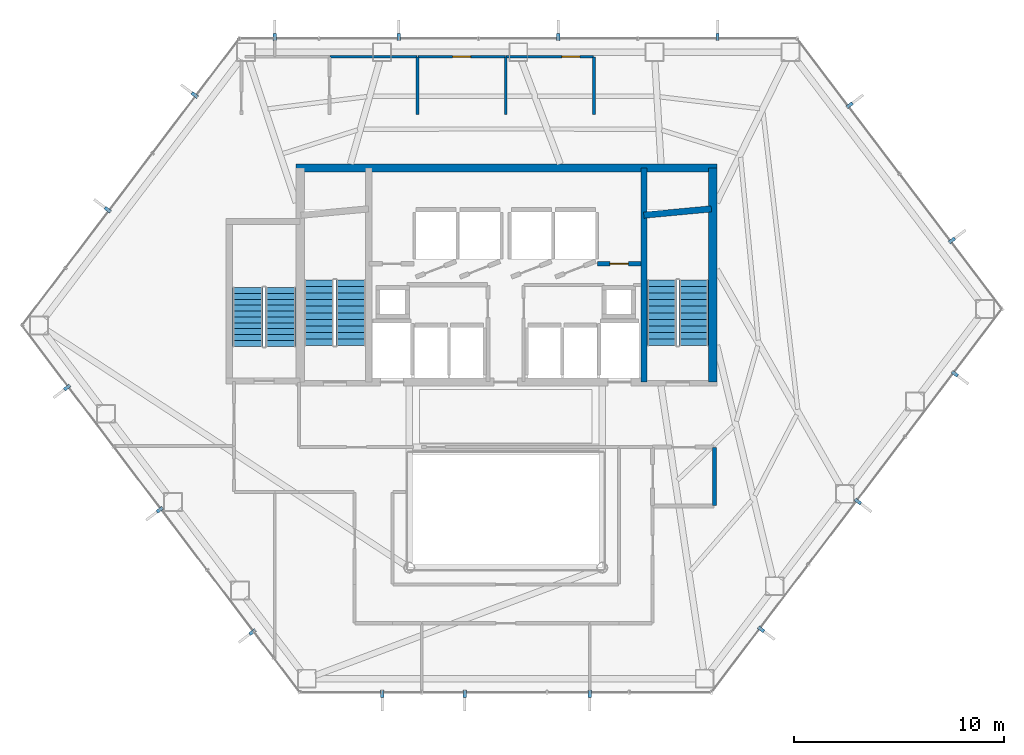
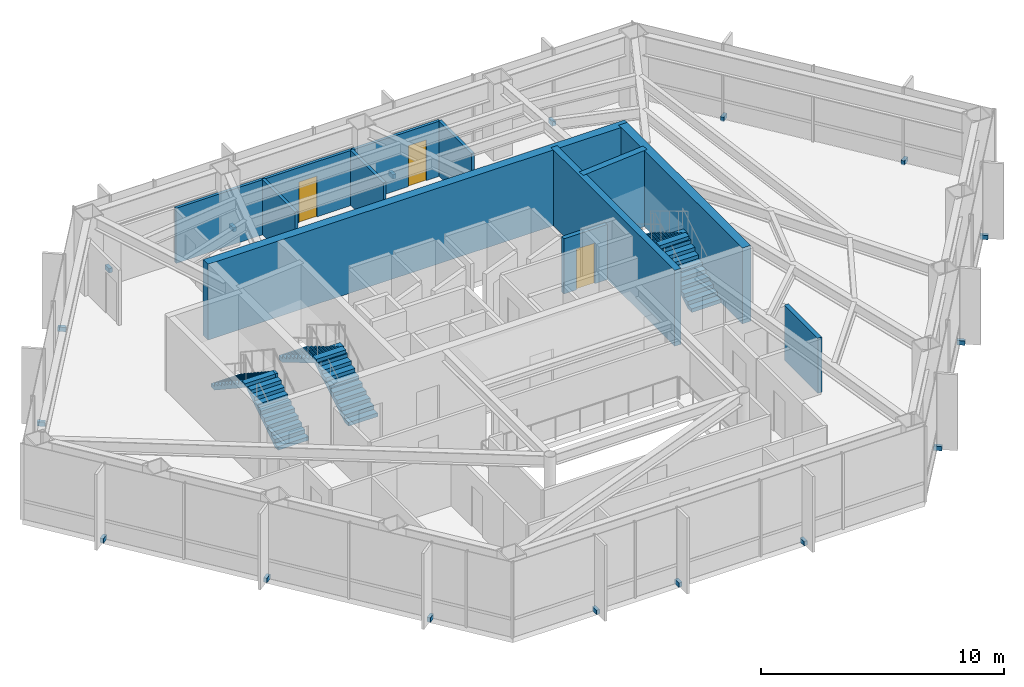
# One storey, part 24 of 25: 17 discrete accessories, 12 walls, 6 stair flights, 3 doors, 3 openings, 3 elements without a shape of their own.
"""IFC4 building model written with IfcOpenShell, lengths in metres."""

from ifc_helpers import new_model, si_unit, direction, frame, frame_2d, origin, origin_2d, place, context, subcontext, project, spatial, polyline, rectangle, outline, extrude, material, layer, layer_set, type_object, element, fill, aggregate, save


model = new_model("IFC4")

# Units and contexts
model_context = context("Model", 3, precision=1e-05, world=origin(), true_north=direction((0.0, 1.0)))
body_context = subcontext(model_context, "Body", "Model", "MODEL_VIEW")
ifc_project = project(units=[si_unit("LENGTHUNIT", "METRE"), si_unit("AREAUNIT", "SQUARE_METRE"), si_unit("VOLUMEUNIT", "CUBIC_METRE"), si_unit("PLANEANGLEUNIT", "RADIAN"), si_unit("MASSUNIT", "GRAM", prefix="KILO")], contexts=[model_context])

# Site, building, storey
site_placement = place(None, origin())
site = spatial("IfcSite", under=ifc_project, at=site_placement, CompositionType="ELEMENT")
building_placement = place(site_placement, origin())
building = spatial("IfcBuilding", under=site, at=building_placement, Name="Zarrinselat Tower", CompositionType="ELEMENT")
storey_placement = place(building_placement, frame((0.0, 0.0, 84.659912109375)))
storey = spatial("IfcBuildingStorey", under=building, at=storey_placement, Name="L20", CompositionType="ELEMENT", Elevation=84.659912109375)

# Wall
ifc_material_1 = material(Name="Concrete C40/50", Category="concrete")
ifc_layer_1 = layer(ifc_material_1, 0.18994140625)
ifc_layer_set_1 = layer_set([ifc_layer_1], Name="Concrete C40/50")
wall_type_1 = type_object("IfcWallType", Name="WAL-PART-EI120", PredefinedType="PARTITIONING", material=ifc_layer_set_1)
wall_1_placement = place(storey_placement, frame((48.35009765625, 27.3701171875, 0.0), z_axis=(0.0, 0.0, 1.0), x_axis=(0.0, 1.0, 0.0)))
element("IfcWall", 1, at=wall_1_placement, inside=storey, type_object=wall_type_1, Name="L20 Partition Wall 15", PredefinedType="PARTITIONING", context=body_context, shape_type="SweptSolid", body=[
    extrude(rectangle(XDim=2.759765625, YDim=0.18994140625, at=frame_2d((1.3798828125, 0.0))), origin(), (0.0, 0.0, 1.0), 2.777099609375),
])

# Wall, opening, door
ifc_material_2 = material(Name="Concrete C40/50", Category="concrete")
ifc_layer_2 = layer(ifc_material_2, 0.199951171875)
ifc_layer_set_2 = layer_set([ifc_layer_2], Name="Concrete C40/50")
wall_type_2 = type_object("IfcWallType", Name="WAL-PART-PLANT", PredefinedType="PARTITIONING", material=ifc_layer_set_2)
wall_2_placement = place(storey_placement, frame((42.764892578125, 38.889892578125, 0.0), z_axis=(0.0, 0.0, 1.0), x_axis=(1.0, 0.0, 0.0)))
wall_2 = element("IfcWall", 2, at=wall_2_placement, inside=storey, type_object=wall_type_2, Name="L20 Partition Wall 4", PredefinedType="PARTITIONING", context=body_context, shape_type="SweptSolid", body=[
    extrude(rectangle(XDim=2.070068359375, YDim=0.199951171875, at=frame_2d((1.03515625, 0.0))), origin(), (0.0, 0.0, 1.0), 2.777099609375),
])
opening_1_placement = place(wall_2_placement, frame((0.594970703125, 0.0, 0.0)))
opening_1 = element("IfcOpeningElement", 3, at=opening_1_placement, cuts=wall_2, Name="Opening ID-03", PredefinedType="OPENING", context=body_context, shape_type="SweptSolid", body=[
    extrude(rectangle(XDim=0.8798828125, YDim=2.050048828125, at=frame_2d((0.43994140625, 1.02490234375))), frame((0.0, 0.10986328125, 0.0), z_axis=(0.0, -1.0, 0.0), x_axis=(1.0, 0.0, 0.0)), (0.0, 0.0, 1.0), 0.219970703125),
])
ifc_material_3 = material(Name="Steel S355J2", Category="steel")
door_type_1 = type_object("IfcDoorType", Name="DR-INT-FD60-S", OperationType="NOTDEFINED", PredefinedType="DOOR", material=ifc_material_3)
door_1_placement = place(opening_1_placement, origin())
door_1 = element("IfcDoor", 4, at=door_1_placement, inside=storey, type_object=door_type_1, Name="L20 Interior Door P4", OperationType="SINGLE_SWING_RIGHT", OverallHeight=2.050048828125, OverallWidth=0.8798828125, PredefinedType="DOOR", context=body_context, shape_type="SweptSolid", body=[
    extrude(rectangle(XDim=0.8798828125, YDim=2.050048828125, at=frame_2d((0.43994140625, 1.02490234375))), frame((0.0, 0.02490234375, 0.0), z_axis=(0.0, -1.0, 0.0), x_axis=(1.0, 0.0, 0.0)), (0.0, 0.0, 1.0), 0.050048828125),
])
fill(opening_1, door_1)

# Walls
ifc_material_4 = material(Name="Fire-Rated Gypsum Board Partition", Category="gypsum")
ifc_layer_3 = layer(ifc_material_4, 0.135009765625)
ifc_layer_set_3 = layer_set([ifc_layer_3], Name="Fire-Rated Gypsum Board Partition")
wall_type_3 = type_object("IfcWallType", Name="WAL-PART-WET", PredefinedType="PARTITIONING", material=ifc_layer_set_3)
wall_3_placement = place(storey_placement, frame((34.199951171875, 46.0, 0.0), z_axis=(0.0, 0.0, 1.0), x_axis=(0.0, 1.0, 0.0)))
element("IfcWall", 5, at=wall_3_placement, inside=storey, type_object=wall_type_3, Name="L20 Partition Wall 38", PredefinedType="PARTITIONING", context=body_context, shape_type="SweptSolid", body=[
    extrude(rectangle(XDim=2.72998046875, YDim=0.135009765625, at=frame_2d((1.364990234375, 0.0))), origin(), (0.0, 0.0, 1.0), 2.777099609375),
])
wall_4_placement = place(storey_placement, frame((30.02001953125, 48.75, 0.0), z_axis=(0.0, 0.0, 1.0), x_axis=(1.0, 0.0, 0.0)))
element("IfcWall", 6, at=wall_4_placement, inside=storey, type_object=wall_type_3, Name="L20 Partition Wall 39", PredefinedType="PARTITIONING", context=body_context, shape_type="SweptSolid", body=[
    extrude(rectangle(XDim=4.159912109375, YDim=0.135009765625, at=frame_2d((2.080078125, 0.0))), origin(), (0.0, 0.0, 1.0), 2.777099609375),
])
wall_5_placement = place(storey_placement, frame((38.39990234375, 46.0, 0.0), z_axis=(0.0, 0.0, 1.0), x_axis=(0.0, 1.0, 0.0)))
element("IfcWall", 7, at=wall_5_placement, inside=storey, type_object=wall_type_3, Name="L20 Partition Wall 40", PredefinedType="PARTITIONING", context=body_context, shape_type="SweptSolid", body=[
    extrude(rectangle(XDim=2.72998046875, YDim=0.135009765625, at=frame_2d((1.364990234375, 0.0))), origin(), (0.0, 0.0, 1.0), 2.777099609375),
])

# Wall, opening, door
wall_6_placement = place(storey_placement, frame((34.219970703125, 48.75, 0.0), z_axis=(0.0, 0.0, 1.0), x_axis=(1.0, 0.0, 0.0)))
wall_6 = element("IfcWall", 8, at=wall_6_placement, inside=storey, type_object=wall_type_3, Name="L20 Partition Wall 41", PredefinedType="PARTITIONING", context=body_context, shape_type="SweptSolid", body=[
    extrude(rectangle(XDim=4.159912109375, YDim=0.135009765625, at=frame_2d((2.080078125, 0.0))), origin(), (0.0, 0.0, 1.0), 2.777099609375),
])
opening_2_placement = place(wall_6_placement, frame((1.64990234375, 0.0, 0.0)))
opening_2 = element("IfcOpeningElement", 9, at=opening_2_placement, cuts=wall_6, Name="Opening ID-06", PredefinedType="OPENING", context=body_context, shape_type="SweptSolid", body=[
    extrude(rectangle(XDim=0.860107421875, YDim=2.050048828125, at=frame_2d((0.43017578125, 1.02490234375))), frame((0.0, 0.077392578125, 0.0), z_axis=(0.0, -1.0, 0.0), x_axis=(1.0, 0.0, 0.0)), (0.0, 0.0, 1.0), 0.155029296875),
])
ifc_material_5 = material(Name="Extruded Aluminium Alloy EN AW-6063 T6", Category="aluminium")
door_type_2 = type_object("IfcDoorType", Name="DR-INT-WET-900", OperationType="NOTDEFINED", PredefinedType="DOOR", material=ifc_material_5)
door_2_placement = place(opening_2_placement, origin())
door_2 = element("IfcDoor", 10, at=door_2_placement, inside=storey, type_object=door_type_2, Name="L20 Interior Door P41", OperationType="SINGLE_SWING_RIGHT", OverallHeight=2.050048828125, OverallWidth=0.860107421875, PredefinedType="DOOR", context=body_context, shape_type="SweptSolid", body=[
    extrude(rectangle(XDim=0.860107421875, YDim=2.050048828125, at=frame_2d((0.43017578125, 1.02490234375))), frame((0.0, 0.02490234375, 0.0), z_axis=(0.0, -1.0, 0.0), x_axis=(1.0, 0.0, 0.0)), (0.0, 0.0, 1.0), 0.050048828125),
])
fill(opening_2, door_2)

wall_7_placement = place(storey_placement, frame((38.419921875, 48.75, 0.0), z_axis=(0.0, 0.0, 1.0), x_axis=(1.0, 0.0, 0.0)))
wall_7 = element("IfcWall", 11, at=wall_7_placement, inside=storey, type_object=wall_type_3, Name="L20 Partition Wall 42", PredefinedType="PARTITIONING", context=body_context, shape_type="SweptSolid", body=[
    extrude(rectangle(XDim=4.16015625, YDim=0.135009765625, at=frame_2d((2.080078125, 0.0))), origin(), (0.0, 0.0, 1.0), 2.777099609375),
])
opening_3_placement = place(wall_7_placement, frame((2.64990234375, 0.0, 0.0)))
opening_3 = element("IfcOpeningElement", 12, at=opening_3_placement, cuts=wall_7, Name="Opening ID-06", PredefinedType="OPENING", context=body_context, shape_type="SweptSolid", body=[
    extrude(rectangle(XDim=0.860107421875, YDim=2.050048828125, at=frame_2d((0.43017578125, 1.02490234375))), frame((0.0, 0.077392578125, 0.0), z_axis=(0.0, -1.0, 0.0), x_axis=(1.0, 0.0, 0.0)), (0.0, 0.0, 1.0), 0.155029296875),
])
door_3_placement = place(opening_3_placement, origin())
door_3 = element("IfcDoor", 13, at=door_3_placement, inside=storey, type_object=door_type_2, Name="L20 Interior Door P42", OperationType="SINGLE_SWING_LEFT", OverallHeight=2.050048828125, OverallWidth=0.860107421875, PredefinedType="DOOR", context=body_context, shape_type="SweptSolid", body=[
    extrude(rectangle(XDim=0.860107421875, YDim=2.050048828125, at=frame_2d((0.43017578125, 1.02490234375))), frame((0.0, 0.02490234375, 0.0), z_axis=(0.0, -1.0, 0.0), x_axis=(1.0, 0.0, 0.0)), (0.0, 0.0, 1.0), 0.050048828125),
])
fill(opening_3, door_3)

# Walls
wall_8_placement = place(storey_placement, frame((42.60009765625, 46.0, 0.0), z_axis=(0.0, 0.0, 1.0), x_axis=(0.0, 1.0, 0.0)))
element("IfcWall", 14, at=wall_8_placement, inside=storey, type_object=wall_type_3, Name="L20 Partition Wall 43", PredefinedType="PARTITIONING", context=body_context, shape_type="SweptSolid", body=[
    extrude(rectangle(XDim=2.72998046875, YDim=0.135009765625, at=frame_2d((1.364990234375, 0.0))), origin(), (0.0, 0.0, 1.0), 2.777099609375),
])
ifc_material_6 = material(Name="Concrete C40/50", Category="concrete")
ifc_layer_4 = layer(ifc_material_6, 0.300048828125)
ifc_layer_set_4 = layer_set([ifc_layer_4], Name="Concrete C40/50")
wall_type_4 = type_object("IfcWallType", Name="WAL-SHEAR-300", PredefinedType="SHEAR", material=ifc_layer_set_4)
wall_9_placement = place(storey_placement, frame((44.989990234375, 33.25, 0.0), z_axis=(0.0, 0.0, 1.0), x_axis=(0.0, 1.0, 0.0)))
element("IfcWall", 15, at=wall_9_placement, inside=storey, type_object=wall_type_4, Name="L20 Core Shear Wall ST2W", PredefinedType="SHEAR", context=body_context, shape_type="SweptSolid", body=[
    extrude(rectangle(XDim=10.199951171875, YDim=0.300048828125, at=frame_2d((5.10009765625, 0.0))), origin(), (0.0, 0.0, 1.0), 3.820068359375),
])
wall_10_placement = place(storey_placement, frame((44.97998046875, 41.199951171875, 0.0), z_axis=(0.0, 0.0, 1.0), x_axis=(0.995686468965, 0.09278176286, 0.0)))
element("IfcWall", 16, at=wall_10_placement, inside=storey, type_object=wall_type_4, Name="L20 Stair 2 North Shaft Wall", PredefinedType="SHEAR", context=body_context, shape_type="SweptSolid", body=[
    extrude(rectangle(XDim=3.23388671875, YDim=0.300048828125, at=frame_2d((1.616943359375, 0.0))), origin(), (0.0, 0.0, 1.0), 3.820068359375),
])
ifc_material_7 = material(Name="Concrete C60/75", Category="concrete")
ifc_layer_5 = layer(ifc_material_7, 0.39990234375)
ifc_layer_set_5 = layer_set([ifc_layer_5], Name="Concrete C60/75")
wall_type_5 = type_object("IfcWallType", Name="WAL-SHEAR-400", PredefinedType="SHEAR", material=ifc_layer_set_5)
wall_11_placement = place(storey_placement, frame((28.39990234375, 43.449951171875, 0.0), z_axis=(0.0, 0.0, 1.0), x_axis=(1.0, 0.0, 0.0)))
element("IfcWall", 17, at=wall_11_placement, inside=storey, type_object=wall_type_5, Name="L20 North Core Shear Wall", PredefinedType="SHEAR", context=body_context, shape_type="SweptSolid", body=[
    extrude(rectangle(XDim=20.06005859375, YDim=0.39990234375, at=frame_2d((10.030029296875, 0.0))), origin(), (0.0, 0.0, 1.0), 3.820068359375),
])
wall_12_placement = place(storey_placement, frame((48.260009765625, 33.25, 0.0), z_axis=(0.0, 0.0, 1.0), x_axis=(0.0, 1.0, 0.0)))
element("IfcWall", 18, at=wall_12_placement, inside=storey, type_object=wall_type_5, Name="L20 Core Shear Wall E", PredefinedType="SHEAR", context=body_context, shape_type="SweptSolid", body=[
    extrude(rectangle(XDim=10.199951171875, YDim=0.39990234375, at=frame_2d((5.10009765625, 0.0))), origin(), (0.0, 0.0, 1.0), 3.820068359375),
])

# Stair, stair flights
ifc_material_8 = material(Name="Concrete C40/50", Category="concrete")
stair_type_1 = type_object("IfcStairType", Name="STR-CORE-145", PredefinedType="HALF_TURN_STAIR", material=ifc_material_8)
stair_1_placement = place(storey_placement, origin())
stair_1 = element("IfcStair", 19, at=stair_1_placement, inside=storey, type_object=stair_type_1, Name="L20 Podium & Mid-Tower Exit Stair 3", PredefinedType="HALF_TURN_STAIR")
ifc_material_9 = material(Name="Concrete C40/50", Category="concrete")
stair_flight_type_1 = type_object("IfcStairFlightType", Name="STR-FLT-145", PredefinedType="STRAIGHT", material=ifc_material_9)
stair_flight_1_placement = place(storey_placement, frame((27.675048828125, 34.949951171875, 0.0), z_axis=(0.0, 0.0, 1.0), x_axis=(0.0, 1.0, 0.0)))
stair_flight_1 = element("IfcStairFlight", 20, at=stair_flight_1_placement, type_object=stair_flight_type_1, Name="ST-3 flight 1", NumberOfRisers=11, NumberOfTreads=10, PredefinedType="STRAIGHT", RiserHeight=0.185454545, TreadLength=0.28, context=body_context, shape_type="SweptSolid", body=[
    extrude(outline(polyline([(0.0, 0.0), (0.0, 0.185546875), (0.280029296875, 0.185546875), (0.280029296875, 0.370849609375), (0.56005859375, 0.370849609375), (0.56005859375, 0.556396484375), (0.840087890625, 0.556396484375), (0.840087890625, 0.74169921875), (1.1201171875, 0.74169921875), (1.1201171875, 0.92724609375), (1.39990234375, 0.92724609375), (1.39990234375, 1.11279296875), (1.679931640625, 1.11279296875), (1.679931640625, 1.298095703125), (1.9599609375, 1.298095703125), (1.9599609375, 1.483642578125), (2.239990234375, 1.483642578125), (2.239990234375, 1.669189453125), (2.52001953125, 1.669189453125), (2.52001953125, 1.8544921875), (2.800048828125, 1.8544921875), (2.800048828125, 2.0400390625), (2.800048828125, 1.6748046875), (0.271484375, 0.0), (0.0, 0.0)])), frame((0.0, 0.72509765625, 0.0), z_axis=(0.0, -1.0, 0.0), x_axis=(1.0, 0.0, 0.0)), (0.0, 0.0, 1.0), 1.449951171875),
])
stair_flight_2_placement = place(storey_placement, frame((26.10498046875, 37.75, 2.0400390625), z_axis=(0.0, 0.0, 1.0), x_axis=(0.0, -1.0, 0.0)))
stair_flight_2 = element("IfcStairFlight", 21, at=stair_flight_2_placement, type_object=stair_flight_type_1, Name="ST-3 flight 2", NumberOfRisers=11, NumberOfTreads=10, PredefinedType="STRAIGHT", RiserHeight=0.185454545, TreadLength=0.28, context=body_context, shape_type="SweptSolid", body=[
    extrude(outline(polyline([(0.0, 0.0), (0.0, 0.185546875), (0.280029296875, 0.185546875), (0.280029296875, 0.370849609375), (0.56005859375, 0.370849609375), (0.56005859375, 0.556396484375), (0.840087890625, 0.556396484375), (0.840087890625, 0.74169921875), (1.1201171875, 0.74169921875), (1.1201171875, 0.92724609375), (1.39990234375, 0.92724609375), (1.39990234375, 1.11279296875), (1.679931640625, 1.11279296875), (1.679931640625, 1.298095703125), (1.9599609375, 1.298095703125), (1.9599609375, 1.483642578125), (2.239990234375, 1.483642578125), (2.239990234375, 1.669189453125), (2.52001953125, 1.669189453125), (2.52001953125, 1.8544921875), (2.800048828125, 1.8544921875), (2.800048828125, 2.0400390625), (2.800048828125, 1.6748046875), (0.271484375, 0.0), (0.0, 0.0)])), frame((0.0, 0.72509765625, 0.0), z_axis=(0.0, -1.0, 0.0), x_axis=(1.0, 0.0, 0.0)), (0.0, 0.0, 1.0), 1.449951171875),
])
aggregate(stair_1, [stair_flight_1, stair_flight_2])

ifc_material_10 = material(Name="Concrete C40/50", Category="concrete")
stair_type_2 = type_object("IfcStairType", Name="STR-CORE-155", PredefinedType="HALF_TURN_STAIR", material=ifc_material_10)
stair_2_placement = place(storey_placement, origin())
stair_2 = element("IfcStair", 22, at=stair_2_placement, inside=storey, type_object=stair_type_2, Name="L20 Core Exit Stair 1", PredefinedType="HALF_TURN_STAIR")
ifc_material_11 = material(Name="Concrete C40/50", Category="concrete")
stair_flight_type_2 = type_object("IfcStairFlightType", Name="STR-FLT-155", PredefinedType="STRAIGHT", material=ifc_material_11)
stair_flight_3_placement = place(storey_placement, frame((31.02001953125, 35.0, 0.0), z_axis=(0.0, 0.0, 1.0), x_axis=(0.0, 1.0, 0.0)))
stair_flight_3 = element("IfcStairFlight", 23, at=stair_flight_3_placement, type_object=stair_flight_type_2, Name="ST-1 flight 1", NumberOfRisers=11, NumberOfTreads=10, PredefinedType="STRAIGHT", RiserHeight=0.185454545, TreadLength=0.31, context=body_context, shape_type="SweptSolid", body=[
    extrude(outline(polyline([(0.0, 0.0), (0.0, 0.185546875), (0.31005859375, 0.185546875), (0.31005859375, 0.370849609375), (0.6201171875, 0.370849609375), (0.6201171875, 0.556396484375), (0.929931640625, 0.556396484375), (0.929931640625, 0.74169921875), (1.239990234375, 0.74169921875), (1.239990234375, 0.92724609375), (1.550048828125, 0.92724609375), (1.550048828125, 1.11279296875), (1.860107421875, 1.11279296875), (1.860107421875, 1.298095703125), (2.169921875, 1.298095703125), (2.169921875, 1.483642578125), (2.47998046875, 1.483642578125), (2.47998046875, 1.669189453125), (2.7900390625, 1.669189453125), (2.7900390625, 1.8544921875), (3.10009765625, 1.8544921875), (3.10009765625, 2.0400390625), (3.10009765625, 1.679931640625), (0.2919921875, 0.0), (0.0, 0.0)])), frame((0.0, 0.699951171875, 0.0), z_axis=(0.0, -1.0, 0.0), x_axis=(1.0, 0.0, 0.0)), (0.0, 0.0, 1.0), 1.39990234375),
])
stair_flight_4_placement = place(storey_placement, frame((29.5, 38.10009765625, 2.0400390625), z_axis=(0.0, 0.0, 1.0), x_axis=(0.0, -1.0, 0.0)))
stair_flight_4 = element("IfcStairFlight", 24, at=stair_flight_4_placement, type_object=stair_flight_type_2, Name="ST-1 flight 2", NumberOfRisers=11, NumberOfTreads=10, PredefinedType="STRAIGHT", RiserHeight=0.185454545, TreadLength=0.31, context=body_context, shape_type="SweptSolid", body=[
    extrude(outline(polyline([(0.0, 0.0), (0.0, 0.185546875), (0.31005859375, 0.185546875), (0.31005859375, 0.370849609375), (0.6201171875, 0.370849609375), (0.6201171875, 0.556396484375), (0.929931640625, 0.556396484375), (0.929931640625, 0.74169921875), (1.239990234375, 0.74169921875), (1.239990234375, 0.92724609375), (1.550048828125, 0.92724609375), (1.550048828125, 1.11279296875), (1.860107421875, 1.11279296875), (1.860107421875, 1.298095703125), (2.169921875, 1.298095703125), (2.169921875, 1.483642578125), (2.47998046875, 1.483642578125), (2.47998046875, 1.669189453125), (2.7900390625, 1.669189453125), (2.7900390625, 1.8544921875), (3.10009765625, 1.8544921875), (3.10009765625, 2.0400390625), (3.10009765625, 1.679931640625), (0.2919921875, 0.0), (0.0, 0.0)])), frame((0.0, 0.699951171875, 0.0), z_axis=(0.0, -1.0, 0.0), x_axis=(1.0, 0.0, 0.0)), (0.0, 0.0, 1.0), 1.39990234375),
])
aggregate(stair_2, [stair_flight_3, stair_flight_4])

stair_3_placement = place(storey_placement, origin())
stair_3 = element("IfcStair", 25, at=stair_3_placement, inside=storey, type_object=stair_type_2, Name="L20 Core Exit Stair 2", PredefinedType="HALF_TURN_STAIR")
stair_flight_5_placement = place(storey_placement, frame((47.360107421875, 35.0, 0.0), z_axis=(0.0, 0.0, 1.0), x_axis=(0.0, 1.0, 0.0)))
stair_flight_5 = element("IfcStairFlight", 26, at=stair_flight_5_placement, type_object=stair_flight_type_2, Name="ST-2 flight 1", NumberOfRisers=11, NumberOfTreads=10, PredefinedType="STRAIGHT", RiserHeight=0.185454545, TreadLength=0.31, context=body_context, shape_type="SweptSolid", body=[
    extrude(outline(polyline([(0.0, 0.0), (0.0, 0.185546875), (0.31005859375, 0.185546875), (0.31005859375, 0.370849609375), (0.6201171875, 0.370849609375), (0.6201171875, 0.556396484375), (0.929931640625, 0.556396484375), (0.929931640625, 0.74169921875), (1.239990234375, 0.74169921875), (1.239990234375, 0.92724609375), (1.550048828125, 0.92724609375), (1.550048828125, 1.11279296875), (1.860107421875, 1.11279296875), (1.860107421875, 1.298095703125), (2.169921875, 1.298095703125), (2.169921875, 1.483642578125), (2.47998046875, 1.483642578125), (2.47998046875, 1.669189453125), (2.7900390625, 1.669189453125), (2.7900390625, 1.8544921875), (3.10009765625, 1.8544921875), (3.10009765625, 2.0400390625), (3.10009765625, 1.679931640625), (0.2919921875, 0.0), (0.0, 0.0)])), frame((0.0, 0.699951171875, 0.0), z_axis=(0.0, -1.0, 0.0), x_axis=(1.0, 0.0, 0.0)), (0.0, 0.0, 1.0), 1.39990234375),
])
stair_flight_6_placement = place(storey_placement, frame((45.840087890625, 38.10009765625, 2.0400390625), z_axis=(0.0, 0.0, 1.0), x_axis=(0.0, -1.0, 0.0)))
stair_flight_6 = element("IfcStairFlight", 27, at=stair_flight_6_placement, type_object=stair_flight_type_2, Name="ST-2 flight 2", NumberOfRisers=11, NumberOfTreads=10, PredefinedType="STRAIGHT", RiserHeight=0.185454545, TreadLength=0.31, context=body_context, shape_type="SweptSolid", body=[
    extrude(outline(polyline([(0.0, 0.0), (0.0, 0.185546875), (0.31005859375, 0.185546875), (0.31005859375, 0.370849609375), (0.6201171875, 0.370849609375), (0.6201171875, 0.556396484375), (0.929931640625, 0.556396484375), (0.929931640625, 0.74169921875), (1.239990234375, 0.74169921875), (1.239990234375, 0.92724609375), (1.550048828125, 0.92724609375), (1.550048828125, 1.11279296875), (1.860107421875, 1.11279296875), (1.860107421875, 1.298095703125), (2.169921875, 1.298095703125), (2.169921875, 1.483642578125), (2.47998046875, 1.483642578125), (2.47998046875, 1.669189453125), (2.7900390625, 1.669189453125), (2.7900390625, 1.8544921875), (3.10009765625, 1.8544921875), (3.10009765625, 2.0400390625), (3.10009765625, 1.679931640625), (0.2919921875, 0.0), (0.0, 0.0)])), frame((0.0, 0.699951171875, 0.0), z_axis=(0.0, -1.0, 0.0), x_axis=(1.0, 0.0, 0.0)), (0.0, 0.0, 1.0), 1.39990234375),
])
aggregate(stair_3, [stair_flight_5, stair_flight_6])

# Discrete accessories
ifc_material_12 = material(Name="Steel S355J2", Category="steel")
discrete_accessory_type = type_object("IfcDiscreteAccessoryType", Name="ACC-FIN-BRACKET", PredefinedType="BRACKET", material=ifc_material_12)
for number, where, z_axis, x_axis, name in (
    (28, (48.493408203125, 49.686767578125, -0.0498046875), (0.0, 0.0, 1.0), (0.0, 1.0, 0.0), "L20 Fin Fixing Bracket CW-L20-E01-01"),
    (29, (40.897216796875, 49.686767578125, -0.0498046875), (0.0, 0.0, 1.0), (0.0, 1.0, 0.0), "L20 Fin Fixing Bracket CW-L20-E01-03"),
    (30, (33.30078125, 49.686767578125, -0.0498046875), (0.0, 0.0, 1.0), (0.0, 1.0, 0.0), "L20 Fin Fixing Bracket CW-L20-E01-05"),
    (31, (27.39990234375, 49.686767578125, -0.0498046875), (0.0, 0.0, 1.0), (0.0, 1.0, 0.0), "L20 Fin Fixing Bracket CW-L20-E01-07"),
    (32, (23.577392578125, 46.9248046875, -0.0498046875), (0.0, 0.0, 1.0), (-0.797092658414, 0.603857014451, 0.0), "L20 Fin Fixing Bracket CW-L20-E02-01"),
    (33, (19.4345703125, 41.456298828125, -0.0498046875), (0.0, 0.0, 1.0), (-0.797092658414, 0.603857014451, 0.0), "L20 Fin Fixing Bracket CW-L20-E02-03"),
    (34, (17.499755859375, 32.989013671875, -0.0498046875), (0.0, 0.0, 1.0), (-0.797093079006, -0.603856459269, 0.0), "L20 Fin Fixing Bracket CW-L20-E03-01"),
    (35, (21.915283203125, 27.16064453125, -0.0498046875), (0.0, 0.0, 1.0), (-0.797093079006, -0.603856459269, 0.0), "L20 Fin Fixing Bracket CW-L20-E03-03"),
    (36, (26.330810546875, 21.33203125, -0.0498046875), (0.0, 0.0, 1.0), (-0.797093079006, -0.603856459269, 0.0), "L20 Fin Fixing Bracket CW-L20-E03-05"),
    (37, (32.5166015625, 18.389892578125, -0.0498046875), (0.0, 0.0, 1.0), (0.0, -1.0, 0.0), "L20 Fin Fixing Bracket CW-L20-E04-01"),
    (38, (36.43896484375, 18.389892578125, -0.0498046875), (0.0, 0.0, 1.0), (0.0, -1.0, 0.0), "L20 Fin Fixing Bracket CW-L20-E04-03"),
    (39, (42.39990234375, 18.389892578125, -0.0498046875), (0.0, 0.0, 1.0), (0.0, -1.0, 0.0), "L20 Fin Fixing Bracket CW-L20-E04-05"),
    (40, (50.56884765625, 21.463623046875, -0.0498046875), (0.0, 0.0, 1.0), (0.797093674981, -0.603855672579, 0.0), "L20 Fin Fixing Bracket CW-L20-E05-01"),
    (41, (55.18359375, 27.555419921875, -0.0498046875), (0.0, 0.0, 1.0), (0.797093674981, -0.603855672579, 0.0), "L20 Fin Fixing Bracket CW-L20-E05-03"),
    (42, (59.798583984375, 33.64697265625, -0.0498046875), (0.0, 0.0, 1.0), (0.797093674981, -0.603855672579, 0.0), "L20 Fin Fixing Bracket CW-L20-E05-05"),
    (43, (59.66650390625, 39.997802734375, -0.0498046875), (0.0, 0.0, 1.0), (0.797091787141, 0.603858164533, 0.0), "L20 Fin Fixing Bracket CW-L20-E06-01"),
    (44, (54.787109375, 46.438720703125, -0.0498046875), (0.0, 0.0, 1.0), (0.797091787141, 0.603858164533, 0.0), "L20 Fin Fixing Bracket CW-L20-E06-03"),
):
    element("IfcDiscreteAccessory", number, at=place(storey_placement, frame(where, z_axis=z_axis, x_axis=x_axis)), inside=storey, type_object=discrete_accessory_type, Name=name, PredefinedType="BRACKET", context=body_context, shape_type="SweptSolid", body=[
        extrude(rectangle(XDim=0.340087890625, YDim=0.159912109375, at=origin_2d()), origin(), (0.0, 0.0, 1.0), 0.219970703125),
    ])

save(model, "model.ifc")
